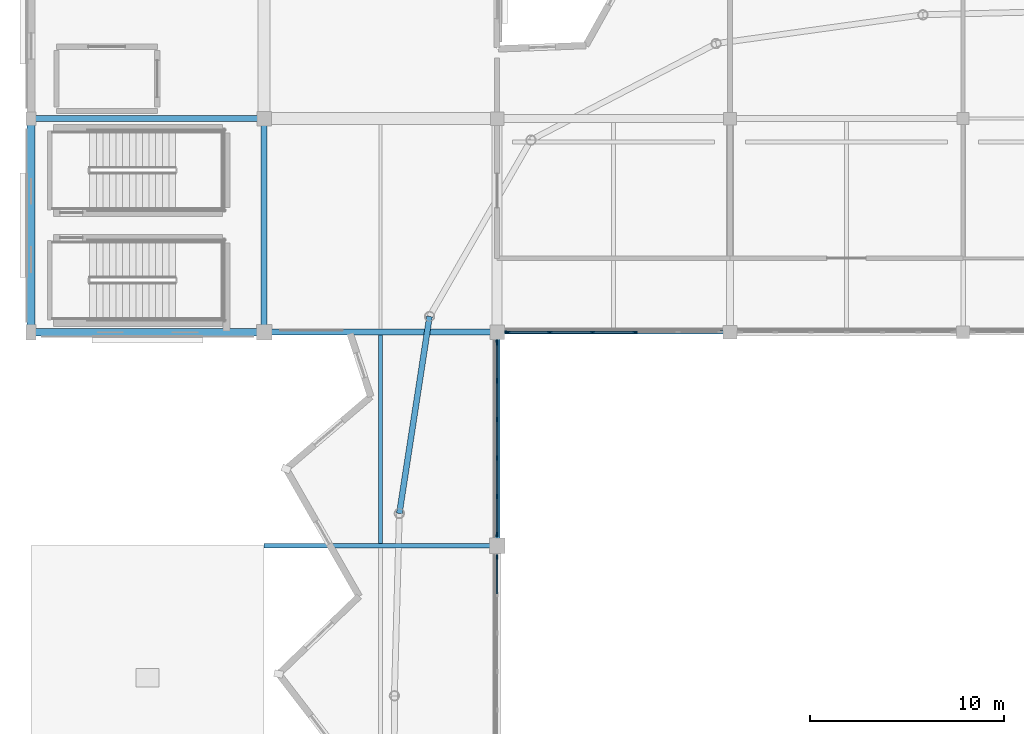
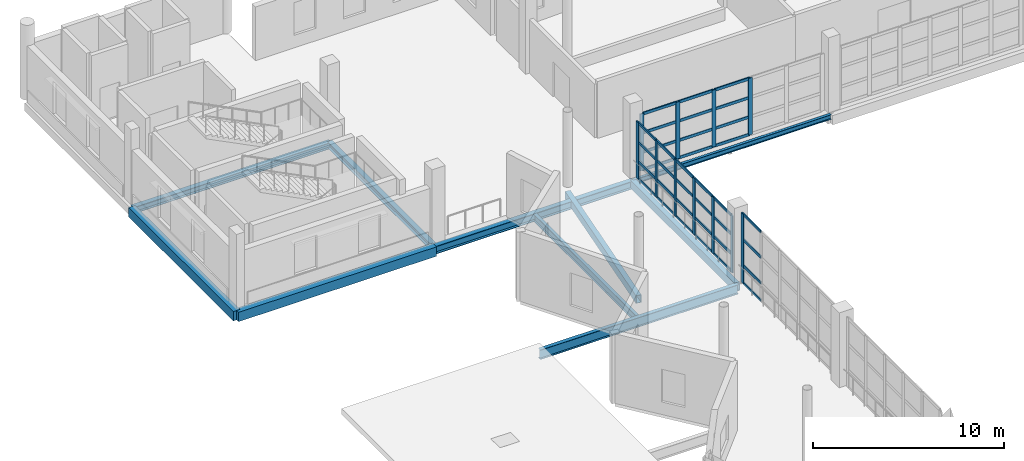
# One storey, part 21 of 53: 47 members, 10 beams, 3 elements without a shape of their own.
"""IFC4 building model written with IfcOpenShell, lengths in metres."""

from ifc_helpers import new_model, si_unit, direction, frame, origin, origin_2d, place, context, subcontext, project, spatial, rectangle, hollow_rectangle, i_section, extrude, material, material_profile, profile_set, type_object, element, aggregate, save


model = new_model("IFC4")

# Units and contexts
model_context = context("Model", 3, precision=1e-05, world=origin(), true_north=direction((0.0, 1.0)))
body_context = subcontext(model_context, "Body", "Model", "MODEL_VIEW")
ifc_project = project(units=[si_unit("LENGTHUNIT", "METRE"), si_unit("AREAUNIT", "SQUARE_METRE"), si_unit("VOLUMEUNIT", "CUBIC_METRE"), si_unit("PLANEANGLEUNIT", "RADIAN"), si_unit("MASSUNIT", "GRAM", prefix="KILO")], contexts=[model_context])

# Site, building, storey
site_placement = place(None, origin())
site = spatial("IfcSite", under=ifc_project, at=site_placement, CompositionType="ELEMENT")
building_placement = place(site_placement, origin())
building = spatial("IfcBuilding", under=site, at=building_placement, Name="Luwafu Chhajja Arena", CompositionType="ELEMENT")
storey_placement = place(building_placement, frame((0.0, 0.0, 19.5)))
storey = spatial("IfcBuildingStorey", under=building, at=storey_placement, Name="L04", CompositionType="ELEMENT", Elevation=19.5)

# Curtain wall, members
ifc_material_1 = material(Name="Anodised bronze aluminium", Category="aluminium")
curtain_wall_type = type_object("IfcCurtainWallType", Name="Media Ribbon Curtain Wall", PredefinedType="USERDEFINED", material=ifc_material_1)
curtain_wall_1_placement = place(storey_placement, origin())
curtain_wall_1 = element("IfcCurtainWall", 1, at=curtain_wall_1_placement, inside=storey, type_object=curtain_wall_type, Name="L04 Bowl Viewing Curtain Wall CWR-L04-08", ObjectType="CURTAIN WALL", PredefinedType="USERDEFINED")
ifc_material_profile_1 = material_profile(ifc_material_1, rectangle(XDim=0.070068359375, YDim=0.239990234375, at=origin_2d()), Name="CWM 70x240")
ifc_profile_set_1 = profile_set([ifc_material_profile_1], Name="Anodised bronze aluminium")
member_type_1 = type_object("IfcMemberType", Name="Bronze Curtain Wall Mullion 70x240", PredefinedType="MULLION", material=ifc_profile_set_1)
member_1_placement = place(storey_placement, frame((58.550048828125, 77.0, 0.0), z_axis=(0.0, 0.0, 1.0), x_axis=(0.0, 1.0, 0.0)))
member_1 = element("IfcMember", 2, at=member_1_placement, type_object=member_type_1, Name="CW-03 mullion 1", PredefinedType="MULLION", context=body_context, shape_type="SweptSolid", body=[
    extrude(rectangle(XDim=0.070068359375, YDim=0.239990234375, at=origin_2d()), origin(), (0.0, 0.0, 1.0), 3.639892578125),
])
member_2_placement = place(storey_placement, frame((60.714111328125, 77.0, 0.0), z_axis=(0.0, 0.0, 1.0), x_axis=(0.0, 1.0, 0.0)))
member_2 = element("IfcMember", 3, at=member_2_placement, type_object=member_type_1, Name="CW-03 mullion 2", PredefinedType="MULLION", context=body_context, shape_type="SweptSolid", body=[
    extrude(rectangle(XDim=0.070068359375, YDim=0.239990234375, at=origin_2d()), origin(), (0.0, 0.0, 1.0), 3.639892578125),
])
member_3_placement = place(storey_placement, frame((62.9130859375, 77.0, 0.0), z_axis=(0.0, 0.0, 1.0), x_axis=(0.0, 1.0, 0.0)))
member_3 = element("IfcMember", 4, at=member_3_placement, type_object=member_type_1, Name="CW-03 mullion 3", PredefinedType="MULLION", context=body_context, shape_type="SweptSolid", body=[
    extrude(rectangle(XDim=0.070068359375, YDim=0.239990234375, at=origin_2d()), origin(), (0.0, 0.0, 1.0), 3.639892578125),
])
member_4_placement = place(storey_placement, frame((65.112060546875, 77.0, 0.0), z_axis=(0.0, 0.0, 1.0), x_axis=(0.0, 1.0, 0.0)))
member_4 = element("IfcMember", 5, at=member_4_placement, type_object=member_type_1, Name="CW-03 mullion 4", PredefinedType="MULLION", context=body_context, shape_type="SweptSolid", body=[
    extrude(rectangle(XDim=0.070068359375, YDim=0.239990234375, at=origin_2d()), origin(), (0.0, 0.0, 1.0), 3.639892578125),
])

# Curtain wall, member
curtain_wall_2_placement = place(storey_placement, origin())
curtain_wall_2 = element("IfcCurtainWall", 6, at=curtain_wall_2_placement, inside=storey, type_object=curtain_wall_type, Name="L04 Bowl Viewing Curtain Wall CWR-L04-18", ObjectType="CURTAIN WALL", PredefinedType="USERDEFINED")
member_5_placement = place(storey_placement, frame((58.0, 65.425048828125, 0.0), z_axis=(0.0, 0.0, 1.0), x_axis=(-1.0, 0.0, 0.0)))
member_5 = element("IfcMember", 7, at=member_5_placement, type_object=member_type_1, Name="CW-03 mullion 6", PredefinedType="MULLION", context=body_context, shape_type="SweptSolid", body=[
    extrude(rectangle(XDim=0.070068359375, YDim=0.239990234375, at=origin_2d()), origin(), (0.0, 0.0, 1.0), 4.4599609375),
])

# Curtain wall, members
curtain_wall_3_placement = place(storey_placement, origin())
curtain_wall_3 = element("IfcCurtainWall", 8, at=curtain_wall_3_placement, inside=storey, type_object=curtain_wall_type, Name="L04 Bowl Viewing Curtain Wall CWR-L04-19", ObjectType="CURTAIN WALL", PredefinedType="USERDEFINED")
member_6_placement = place(storey_placement, frame((58.0, 66.574951171875, 0.0), z_axis=(0.0, 0.0, 1.0), x_axis=(-1.0, 0.0, 0.0)))
member_6 = element("IfcMember", 9, at=member_6_placement, type_object=member_type_1, Name="CW-03 mullion 1", PredefinedType="MULLION", context=body_context, shape_type="SweptSolid", body=[
    extrude(rectangle(XDim=0.070068359375, YDim=0.239990234375, at=origin_2d()), origin(), (0.0, 0.0, 1.0), 3.639892578125),
])
member_7_placement = place(storey_placement, frame((58.0, 68.529052734375, 0.0), z_axis=(0.0, 0.0, 1.0), x_axis=(-1.0, 0.0, 0.0)))
member_7 = element("IfcMember", 10, at=member_7_placement, type_object=member_type_1, Name="CW-03 mullion 2", PredefinedType="MULLION", context=body_context, shape_type="SweptSolid", body=[
    extrude(rectangle(XDim=0.070068359375, YDim=0.239990234375, at=origin_2d()), origin(), (0.0, 0.0, 1.0), 3.639892578125),
])
member_8_placement = place(storey_placement, frame((58.0, 70.51806640625, 0.0), z_axis=(0.0, 0.0, 1.0), x_axis=(-1.0, 0.0, 0.0)))
member_8 = element("IfcMember", 11, at=member_8_placement, type_object=member_type_1, Name="CW-03 mullion 3", PredefinedType="MULLION", context=body_context, shape_type="SweptSolid", body=[
    extrude(rectangle(XDim=0.070068359375, YDim=0.239990234375, at=origin_2d()), origin(), (0.0, 0.0, 1.0), 3.639892578125),
])
member_9_placement = place(storey_placement, frame((58.0, 72.507080078125, 0.0), z_axis=(0.0, 0.0, 1.0), x_axis=(-1.0, 0.0, 0.0)))
member_9 = element("IfcMember", 12, at=member_9_placement, type_object=member_type_1, Name="CW-03 mullion 4", PredefinedType="MULLION", context=body_context, shape_type="SweptSolid", body=[
    extrude(rectangle(XDim=0.070068359375, YDim=0.239990234375, at=origin_2d()), origin(), (0.0, 0.0, 1.0), 3.639892578125),
])
member_10_placement = place(storey_placement, frame((58.0, 74.49609375, 0.0), z_axis=(0.0, 0.0, 1.0), x_axis=(-1.0, 0.0, 0.0)))
member_10 = element("IfcMember", 13, at=member_10_placement, type_object=member_type_1, Name="CW-03 mullion 5", PredefinedType="MULLION", context=body_context, shape_type="SweptSolid", body=[
    extrude(rectangle(XDim=0.070068359375, YDim=0.239990234375, at=origin_2d()), origin(), (0.0, 0.0, 1.0), 3.639892578125),
])
member_11_placement = place(storey_placement, frame((58.0, 76.449951171875, 0.0), z_axis=(0.0, 0.0, 1.0), x_axis=(-1.0, 0.0, 0.0)))
member_11 = element("IfcMember", 14, at=member_11_placement, type_object=member_type_1, Name="CW-03 mullion 6", PredefinedType="MULLION", context=body_context, shape_type="SweptSolid", body=[
    extrude(rectangle(XDim=0.070068359375, YDim=0.239990234375, at=origin_2d()), origin(), (0.0, 0.0, 1.0), 3.639892578125),
])

# Member
ifc_material_profile_2 = material_profile(ifc_material_1, rectangle(XDim=0.070068359375, YDim=0.179931640625, at=origin_2d()), Name="CWT 70x180")
ifc_profile_set_2 = profile_set([ifc_material_profile_2], Name="Anodised bronze aluminium")
member_type_2 = type_object("IfcMemberType", Name="Bronze Curtain Wall Transom 70x180", PredefinedType="USERDEFINED", material=ifc_profile_set_2)
member_12_placement = place(storey_placement, frame((58.5849609375, 77.0, 0.034912109375), z_axis=(1.0, 0.0, 0.0), x_axis=(0.0, 1.0, 0.0)))
member_12 = element("IfcMember", 15, at=member_12_placement, type_object=member_type_2, Name="CW-03 transom 1.1", ObjectType="TRANSOM", PredefinedType="USERDEFINED", context=body_context, shape_type="SweptSolid", body=[
    extrude(rectangle(XDim=0.070068359375, YDim=0.179931640625, at=origin_2d()), origin(), (0.0, 0.0, 1.0), 2.093994140625),
])

member_13_placement = place(storey_placement, frame((58.5849609375, 77.0, 1.14990234375), z_axis=(1.0, 0.0, 0.0), x_axis=(0.0, 1.0, 0.0)))
member_13 = element("IfcMember", 16, at=member_13_placement, type_object=member_type_2, Name="CW-03 transom 1.2", ObjectType="TRANSOM", PredefinedType="USERDEFINED", context=body_context, shape_type="SweptSolid", body=[
    extrude(rectangle(XDim=0.070068359375, YDim=0.179931640625, at=origin_2d()), origin(), (0.0, 0.0, 1.0), 2.093994140625),
])

member_14_placement = place(storey_placement, frame((58.5849609375, 77.0, 2.39501953125), z_axis=(1.0, 0.0, 0.0), x_axis=(0.0, 1.0, 0.0)))
member_14 = element("IfcMember", 17, at=member_14_placement, type_object=member_type_2, Name="CW-03 transom 1.3", ObjectType="TRANSOM", PredefinedType="USERDEFINED", context=body_context, shape_type="SweptSolid", body=[
    extrude(rectangle(XDim=0.070068359375, YDim=0.179931640625, at=origin_2d()), origin(), (0.0, 0.0, 1.0), 2.093994140625),
])

member_15_placement = place(storey_placement, frame((58.5849609375, 77.0, 3.60498046875), z_axis=(1.0, 0.0, 0.0), x_axis=(0.0, 1.0, 0.0)))
member_15 = element("IfcMember", 18, at=member_15_placement, type_object=member_type_2, Name="CW-03 transom 1.4", ObjectType="TRANSOM", PredefinedType="USERDEFINED", context=body_context, shape_type="SweptSolid", body=[
    extrude(rectangle(XDim=0.070068359375, YDim=0.179931640625, at=origin_2d()), origin(), (0.0, 0.0, 1.0), 2.093994140625),
])

member_16_placement = place(storey_placement, frame((60.7490234375, 77.0, 0.034912109375), z_axis=(1.0, 0.0, 0.0), x_axis=(0.0, 1.0, 0.0)))
member_16 = element("IfcMember", 19, at=member_16_placement, type_object=member_type_2, Name="CW-03 transom 2.1", ObjectType="TRANSOM", PredefinedType="USERDEFINED", context=body_context, shape_type="SweptSolid", body=[
    extrude(rectangle(XDim=0.070068359375, YDim=0.179931640625, at=origin_2d()), origin(), (0.0, 0.0, 1.0), 2.12890625),
])

member_17_placement = place(storey_placement, frame((60.7490234375, 77.0, 1.14990234375), z_axis=(1.0, 0.0, 0.0), x_axis=(0.0, 1.0, 0.0)))
member_17 = element("IfcMember", 20, at=member_17_placement, type_object=member_type_2, Name="CW-03 transom 2.2", ObjectType="TRANSOM", PredefinedType="USERDEFINED", context=body_context, shape_type="SweptSolid", body=[
    extrude(rectangle(XDim=0.070068359375, YDim=0.179931640625, at=origin_2d()), origin(), (0.0, 0.0, 1.0), 2.12890625),
])

member_18_placement = place(storey_placement, frame((60.7490234375, 77.0, 2.39501953125), z_axis=(1.0, 0.0, 0.0), x_axis=(0.0, 1.0, 0.0)))
member_18 = element("IfcMember", 21, at=member_18_placement, type_object=member_type_2, Name="CW-03 transom 2.3", ObjectType="TRANSOM", PredefinedType="USERDEFINED", context=body_context, shape_type="SweptSolid", body=[
    extrude(rectangle(XDim=0.070068359375, YDim=0.179931640625, at=origin_2d()), origin(), (0.0, 0.0, 1.0), 2.12890625),
])

member_19_placement = place(storey_placement, frame((60.7490234375, 77.0, 3.60498046875), z_axis=(1.0, 0.0, 0.0), x_axis=(0.0, 1.0, 0.0)))
member_19 = element("IfcMember", 22, at=member_19_placement, type_object=member_type_2, Name="CW-03 transom 2.4", ObjectType="TRANSOM", PredefinedType="USERDEFINED", context=body_context, shape_type="SweptSolid", body=[
    extrude(rectangle(XDim=0.070068359375, YDim=0.179931640625, at=origin_2d()), origin(), (0.0, 0.0, 1.0), 2.12890625),
])

member_20_placement = place(storey_placement, frame((62.947998046875, 77.0, 0.034912109375), z_axis=(1.0, 0.0, 0.0), x_axis=(0.0, 1.0, 0.0)))
member_20 = element("IfcMember", 23, at=member_20_placement, type_object=member_type_2, Name="CW-03 transom 3.1", ObjectType="TRANSOM", PredefinedType="USERDEFINED", context=body_context, shape_type="SweptSolid", body=[
    extrude(rectangle(XDim=0.070068359375, YDim=0.179931640625, at=origin_2d()), origin(), (0.0, 0.0, 1.0), 2.12890625),
])

member_21_placement = place(storey_placement, frame((62.947998046875, 77.0, 1.14990234375), z_axis=(1.0, 0.0, 0.0), x_axis=(0.0, 1.0, 0.0)))
member_21 = element("IfcMember", 24, at=member_21_placement, type_object=member_type_2, Name="CW-03 transom 3.2", ObjectType="TRANSOM", PredefinedType="USERDEFINED", context=body_context, shape_type="SweptSolid", body=[
    extrude(rectangle(XDim=0.070068359375, YDim=0.179931640625, at=origin_2d()), origin(), (0.0, 0.0, 1.0), 2.12890625),
])

member_22_placement = place(storey_placement, frame((62.947998046875, 77.0, 2.39501953125), z_axis=(1.0, 0.0, 0.0), x_axis=(0.0, 1.0, 0.0)))
member_22 = element("IfcMember", 25, at=member_22_placement, type_object=member_type_2, Name="CW-03 transom 3.3", ObjectType="TRANSOM", PredefinedType="USERDEFINED", context=body_context, shape_type="SweptSolid", body=[
    extrude(rectangle(XDim=0.070068359375, YDim=0.179931640625, at=origin_2d()), origin(), (0.0, 0.0, 1.0), 2.12890625),
])

member_23_placement = place(storey_placement, frame((62.947998046875, 77.0, 3.60498046875), z_axis=(1.0, 0.0, 0.0), x_axis=(0.0, 1.0, 0.0)))
member_23 = element("IfcMember", 26, at=member_23_placement, type_object=member_type_2, Name="CW-03 transom 3.4", ObjectType="TRANSOM", PredefinedType="USERDEFINED", context=body_context, shape_type="SweptSolid", body=[
    extrude(rectangle(XDim=0.070068359375, YDim=0.179931640625, at=origin_2d()), origin(), (0.0, 0.0, 1.0), 2.12890625),
])

aggregate(curtain_wall_1, [member_1, member_2, member_3, member_4, member_12, member_13, member_14, member_15, member_16, member_17, member_18, member_19, member_20, member_21, member_22, member_23])

member_24_placement = place(storey_placement, frame((58.0, 63.51611328125, 0.034912109375), z_axis=(0.0, 1.0, 0.0), x_axis=(-1.0, 0.0, 0.0)))
member_24 = element("IfcMember", 27, at=member_24_placement, type_object=member_type_2, Name="CW-03 transom 5.1", ObjectType="TRANSOM", PredefinedType="USERDEFINED", context=body_context, shape_type="SweptSolid", body=[
    extrude(rectangle(XDim=0.070068359375, YDim=0.179931640625, at=origin_2d()), origin(), (0.0, 0.0, 1.0), 1.873779296875),
])

member_25_placement = place(storey_placement, frame((58.0, 63.51611328125, 1.14990234375), z_axis=(0.0, 1.0, 0.0), x_axis=(-1.0, 0.0, 0.0)))
member_25 = element("IfcMember", 28, at=member_25_placement, type_object=member_type_2, Name="CW-03 transom 5.2", ObjectType="TRANSOM", PredefinedType="USERDEFINED", context=body_context, shape_type="SweptSolid", body=[
    extrude(rectangle(XDim=0.070068359375, YDim=0.179931640625, at=origin_2d()), origin(), (0.0, 0.0, 1.0), 1.873779296875),
])

member_26_placement = place(storey_placement, frame((58.0, 63.51611328125, 2.804931640625), z_axis=(0.0, 1.0, 0.0), x_axis=(-1.0, 0.0, 0.0)))
member_26 = element("IfcMember", 29, at=member_26_placement, type_object=member_type_2, Name="CW-03 transom 5.3", ObjectType="TRANSOM", PredefinedType="USERDEFINED", context=body_context, shape_type="SweptSolid", body=[
    extrude(rectangle(XDim=0.070068359375, YDim=0.179931640625, at=origin_2d()), origin(), (0.0, 0.0, 1.0), 1.873779296875),
])

member_27_placement = place(storey_placement, frame((58.0, 63.51611328125, 4.425048828125), z_axis=(0.0, 1.0, 0.0), x_axis=(-1.0, 0.0, 0.0)))
member_27 = element("IfcMember", 30, at=member_27_placement, type_object=member_type_2, Name="CW-03 transom 5.4", ObjectType="TRANSOM", PredefinedType="USERDEFINED", context=body_context, shape_type="SweptSolid", body=[
    extrude(rectangle(XDim=0.070068359375, YDim=0.179931640625, at=origin_2d()), origin(), (0.0, 0.0, 1.0), 1.873779296875),
])

aggregate(curtain_wall_2, [member_5, member_24, member_25, member_26, member_27])

member_28_placement = place(storey_placement, frame((58.0, 66.610107421875, 0.034912109375), z_axis=(0.0, 1.0, 0.0), x_axis=(-1.0, 0.0, 0.0)))
member_28 = element("IfcMember", 31, at=member_28_placement, type_object=member_type_2, Name="CW-03 transom 1.1", ObjectType="TRANSOM", PredefinedType="USERDEFINED", context=body_context, shape_type="SweptSolid", body=[
    extrude(rectangle(XDim=0.070068359375, YDim=0.179931640625, at=origin_2d()), origin(), (0.0, 0.0, 1.0), 1.8837890625),
])

member_29_placement = place(storey_placement, frame((58.0, 66.610107421875, 1.14990234375), z_axis=(0.0, 1.0, 0.0), x_axis=(-1.0, 0.0, 0.0)))
member_29 = element("IfcMember", 32, at=member_29_placement, type_object=member_type_2, Name="CW-03 transom 1.2", ObjectType="TRANSOM", PredefinedType="USERDEFINED", context=body_context, shape_type="SweptSolid", body=[
    extrude(rectangle(XDim=0.070068359375, YDim=0.179931640625, at=origin_2d()), origin(), (0.0, 0.0, 1.0), 1.8837890625),
])

member_30_placement = place(storey_placement, frame((58.0, 66.610107421875, 2.39501953125), z_axis=(0.0, 1.0, 0.0), x_axis=(-1.0, 0.0, 0.0)))
member_30 = element("IfcMember", 33, at=member_30_placement, type_object=member_type_2, Name="CW-03 transom 1.3", ObjectType="TRANSOM", PredefinedType="USERDEFINED", context=body_context, shape_type="SweptSolid", body=[
    extrude(rectangle(XDim=0.070068359375, YDim=0.179931640625, at=origin_2d()), origin(), (0.0, 0.0, 1.0), 1.8837890625),
])

member_31_placement = place(storey_placement, frame((58.0, 66.610107421875, 3.60498046875), z_axis=(0.0, 1.0, 0.0), x_axis=(-1.0, 0.0, 0.0)))
member_31 = element("IfcMember", 34, at=member_31_placement, type_object=member_type_2, Name="CW-03 transom 1.4", ObjectType="TRANSOM", PredefinedType="USERDEFINED", context=body_context, shape_type="SweptSolid", body=[
    extrude(rectangle(XDim=0.070068359375, YDim=0.179931640625, at=origin_2d()), origin(), (0.0, 0.0, 1.0), 1.8837890625),
])

member_32_placement = place(storey_placement, frame((58.0, 68.56396484375, 0.034912109375), z_axis=(0.0, 1.0, 0.0), x_axis=(-1.0, 0.0, 0.0)))
member_32 = element("IfcMember", 35, at=member_32_placement, type_object=member_type_2, Name="CW-03 transom 2.1", ObjectType="TRANSOM", PredefinedType="USERDEFINED", context=body_context, shape_type="SweptSolid", body=[
    extrude(rectangle(XDim=0.070068359375, YDim=0.179931640625, at=origin_2d()), origin(), (0.0, 0.0, 1.0), 1.9189453125),
])

member_33_placement = place(storey_placement, frame((58.0, 68.56396484375, 1.14990234375), z_axis=(0.0, 1.0, 0.0), x_axis=(-1.0, 0.0, 0.0)))
member_33 = element("IfcMember", 36, at=member_33_placement, type_object=member_type_2, Name="CW-03 transom 2.2", ObjectType="TRANSOM", PredefinedType="USERDEFINED", context=body_context, shape_type="SweptSolid", body=[
    extrude(rectangle(XDim=0.070068359375, YDim=0.179931640625, at=origin_2d()), origin(), (0.0, 0.0, 1.0), 1.9189453125),
])

member_34_placement = place(storey_placement, frame((58.0, 68.56396484375, 2.39501953125), z_axis=(0.0, 1.0, 0.0), x_axis=(-1.0, 0.0, 0.0)))
member_34 = element("IfcMember", 37, at=member_34_placement, type_object=member_type_2, Name="CW-03 transom 2.3", ObjectType="TRANSOM", PredefinedType="USERDEFINED", context=body_context, shape_type="SweptSolid", body=[
    extrude(rectangle(XDim=0.070068359375, YDim=0.179931640625, at=origin_2d()), origin(), (0.0, 0.0, 1.0), 1.9189453125),
])

member_35_placement = place(storey_placement, frame((58.0, 68.56396484375, 3.60498046875), z_axis=(0.0, 1.0, 0.0), x_axis=(-1.0, 0.0, 0.0)))
member_35 = element("IfcMember", 38, at=member_35_placement, type_object=member_type_2, Name="CW-03 transom 2.4", ObjectType="TRANSOM", PredefinedType="USERDEFINED", context=body_context, shape_type="SweptSolid", body=[
    extrude(rectangle(XDim=0.070068359375, YDim=0.179931640625, at=origin_2d()), origin(), (0.0, 0.0, 1.0), 1.9189453125),
])

member_36_placement = place(storey_placement, frame((58.0, 70.552978515625, 0.034912109375), z_axis=(0.0, 1.0, 0.0), x_axis=(-1.0, 0.0, 0.0)))
member_36 = element("IfcMember", 39, at=member_36_placement, type_object=member_type_2, Name="CW-03 transom 3.1", ObjectType="TRANSOM", PredefinedType="USERDEFINED", context=body_context, shape_type="SweptSolid", body=[
    extrude(rectangle(XDim=0.070068359375, YDim=0.179931640625, at=origin_2d()), origin(), (0.0, 0.0, 1.0), 1.9189453125),
])

member_37_placement = place(storey_placement, frame((58.0, 70.552978515625, 1.14990234375), z_axis=(0.0, 1.0, 0.0), x_axis=(-1.0, 0.0, 0.0)))
member_37 = element("IfcMember", 40, at=member_37_placement, type_object=member_type_2, Name="CW-03 transom 3.2", ObjectType="TRANSOM", PredefinedType="USERDEFINED", context=body_context, shape_type="SweptSolid", body=[
    extrude(rectangle(XDim=0.070068359375, YDim=0.179931640625, at=origin_2d()), origin(), (0.0, 0.0, 1.0), 1.9189453125),
])

member_38_placement = place(storey_placement, frame((58.0, 70.552978515625, 2.39501953125), z_axis=(0.0, 1.0, 0.0), x_axis=(-1.0, 0.0, 0.0)))
member_38 = element("IfcMember", 41, at=member_38_placement, type_object=member_type_2, Name="CW-03 transom 3.3", ObjectType="TRANSOM", PredefinedType="USERDEFINED", context=body_context, shape_type="SweptSolid", body=[
    extrude(rectangle(XDim=0.070068359375, YDim=0.179931640625, at=origin_2d()), origin(), (0.0, 0.0, 1.0), 1.9189453125),
])

member_39_placement = place(storey_placement, frame((58.0, 70.552978515625, 3.60498046875), z_axis=(0.0, 1.0, 0.0), x_axis=(-1.0, 0.0, 0.0)))
member_39 = element("IfcMember", 42, at=member_39_placement, type_object=member_type_2, Name="CW-03 transom 3.4", ObjectType="TRANSOM", PredefinedType="USERDEFINED", context=body_context, shape_type="SweptSolid", body=[
    extrude(rectangle(XDim=0.070068359375, YDim=0.179931640625, at=origin_2d()), origin(), (0.0, 0.0, 1.0), 1.9189453125),
])

member_40_placement = place(storey_placement, frame((58.0, 72.5419921875, 0.034912109375), z_axis=(0.0, 1.0, 0.0), x_axis=(-1.0, 0.0, 0.0)))
member_40 = element("IfcMember", 43, at=member_40_placement, type_object=member_type_2, Name="CW-03 transom 4.1", ObjectType="TRANSOM", PredefinedType="USERDEFINED", context=body_context, shape_type="SweptSolid", body=[
    extrude(rectangle(XDim=0.070068359375, YDim=0.179931640625, at=origin_2d()), origin(), (0.0, 0.0, 1.0), 1.9189453125),
])

member_41_placement = place(storey_placement, frame((58.0, 72.5419921875, 1.14990234375), z_axis=(0.0, 1.0, 0.0), x_axis=(-1.0, 0.0, 0.0)))
member_41 = element("IfcMember", 44, at=member_41_placement, type_object=member_type_2, Name="CW-03 transom 4.2", ObjectType="TRANSOM", PredefinedType="USERDEFINED", context=body_context, shape_type="SweptSolid", body=[
    extrude(rectangle(XDim=0.070068359375, YDim=0.179931640625, at=origin_2d()), origin(), (0.0, 0.0, 1.0), 1.9189453125),
])

member_42_placement = place(storey_placement, frame((58.0, 72.5419921875, 2.39501953125), z_axis=(0.0, 1.0, 0.0), x_axis=(-1.0, 0.0, 0.0)))
member_42 = element("IfcMember", 45, at=member_42_placement, type_object=member_type_2, Name="CW-03 transom 4.3", ObjectType="TRANSOM", PredefinedType="USERDEFINED", context=body_context, shape_type="SweptSolid", body=[
    extrude(rectangle(XDim=0.070068359375, YDim=0.179931640625, at=origin_2d()), origin(), (0.0, 0.0, 1.0), 1.9189453125),
])

member_43_placement = place(storey_placement, frame((58.0, 72.5419921875, 3.60498046875), z_axis=(0.0, 1.0, 0.0), x_axis=(-1.0, 0.0, 0.0)))
member_43 = element("IfcMember", 46, at=member_43_placement, type_object=member_type_2, Name="CW-03 transom 4.4", ObjectType="TRANSOM", PredefinedType="USERDEFINED", context=body_context, shape_type="SweptSolid", body=[
    extrude(rectangle(XDim=0.070068359375, YDim=0.179931640625, at=origin_2d()), origin(), (0.0, 0.0, 1.0), 1.9189453125),
])

member_44_placement = place(storey_placement, frame((58.0, 74.531005859375, 0.034912109375), z_axis=(0.0, 1.0, 0.0), x_axis=(-1.0, 0.0, 0.0)))
member_44 = element("IfcMember", 47, at=member_44_placement, type_object=member_type_2, Name="CW-03 transom 5.1", ObjectType="TRANSOM", PredefinedType="USERDEFINED", context=body_context, shape_type="SweptSolid", body=[
    extrude(rectangle(XDim=0.070068359375, YDim=0.179931640625, at=origin_2d()), origin(), (0.0, 0.0, 1.0), 1.884033203125),
])

member_45_placement = place(storey_placement, frame((58.0, 74.531005859375, 1.14990234375), z_axis=(0.0, 1.0, 0.0), x_axis=(-1.0, 0.0, 0.0)))
member_45 = element("IfcMember", 48, at=member_45_placement, type_object=member_type_2, Name="CW-03 transom 5.2", ObjectType="TRANSOM", PredefinedType="USERDEFINED", context=body_context, shape_type="SweptSolid", body=[
    extrude(rectangle(XDim=0.070068359375, YDim=0.179931640625, at=origin_2d()), origin(), (0.0, 0.0, 1.0), 1.884033203125),
])

member_46_placement = place(storey_placement, frame((58.0, 74.531005859375, 2.39501953125), z_axis=(0.0, 1.0, 0.0), x_axis=(-1.0, 0.0, 0.0)))
member_46 = element("IfcMember", 49, at=member_46_placement, type_object=member_type_2, Name="CW-03 transom 5.3", ObjectType="TRANSOM", PredefinedType="USERDEFINED", context=body_context, shape_type="SweptSolid", body=[
    extrude(rectangle(XDim=0.070068359375, YDim=0.179931640625, at=origin_2d()), origin(), (0.0, 0.0, 1.0), 1.884033203125),
])

member_47_placement = place(storey_placement, frame((58.0, 74.531005859375, 3.60498046875), z_axis=(0.0, 1.0, 0.0), x_axis=(-1.0, 0.0, 0.0)))
member_47 = element("IfcMember", 50, at=member_47_placement, type_object=member_type_2, Name="CW-03 transom 5.4", ObjectType="TRANSOM", PredefinedType="USERDEFINED", context=body_context, shape_type="SweptSolid", body=[
    extrude(rectangle(XDim=0.070068359375, YDim=0.179931640625, at=origin_2d()), origin(), (0.0, 0.0, 1.0), 1.884033203125),
])

aggregate(curtain_wall_3, [member_6, member_7, member_8, member_9, member_10, member_11, member_28, member_29, member_30, member_31, member_32, member_33, member_34, member_35, member_36, member_37, member_38, member_39, member_40, member_41, member_42, member_43, member_44, member_45, member_46, member_47])

# Beams
ifc_material_2 = material(Name="Steel S355", Category="steel")
ifc_material_profile_3 = material_profile(ifc_material_2, i_section(OverallWidth=0.165771484375, OverallDepth=0.306640625, WebThickness=0.006591796875, FlangeThickness=0.01171875, at=origin_2d()), Name="UB 305x165x46")
ifc_profile_set_3 = profile_set([ifc_material_profile_3], Name="Steel S355")
beam_type_1 = type_object("IfcBeamType", Name="Concourse Edge Spandrel Beam UB 305x165x46", PredefinedType="SPANDREL", material=ifc_profile_set_3)
beam_1_placement = place(storey_placement, frame((58.0, 77.0, -0.543212890625), z_axis=(1.0, 0.0, 0.0), x_axis=(0.0, 1.0, 0.0)))
element("IfcBeam", 51, at=beam_1_placement, inside=storey, type_object=beam_type_1, Name="L04 Grid Beam 6-7/H", PredefinedType="SPANDREL", context=body_context, shape_type="SweptSolid", body=[
    extrude(i_section(OverallWidth=0.165771484375, OverallDepth=0.306640625, WebThickness=0.006591796875, FlangeThickness=0.01171875, at=origin_2d()), origin(), (0.0, 0.0, 1.0), 12.0),
])
ifc_material_profile_4 = material_profile(ifc_material_2, i_section(OverallWidth=0.19140625, OverallDepth=0.4599609375, WebThickness=0.010009765625, FlangeThickness=0.01611328125, at=origin_2d()), Name="UB 457x191x82")
ifc_profile_set_4 = profile_set([ifc_material_profile_4], Name="Steel S355")
beam_type_2 = type_object("IfcBeamType", Name="Floor Joist UB 457x191x82", PredefinedType="JOIST", material=ifc_profile_set_4)
beam_2_placement = place(storey_placement, frame((52.0, 66.114501953125, -0.6201171875), z_axis=(0.0, 1.0, 0.0), x_axis=(-1.0, 0.0, 0.0)))
element("IfcBeam", 52, at=beam_2_placement, inside=storey, type_object=beam_type_2, Name="L04 Secondary Joist 5-6/G", PredefinedType="JOIST", context=body_context, shape_type="SweptSolid", body=[
    extrude(i_section(OverallWidth=0.19140625, OverallDepth=0.4599609375, WebThickness=0.010009765625, FlangeThickness=0.01611328125, at=origin_2d()), origin(), (0.0, 0.0, 1.0), 10.735595703125),
])
ifc_material_profile_5 = material_profile(ifc_material_2, hollow_rectangle(XDim=0.300048828125, YDim=0.5, WallThickness=0.02001953125, at=origin_2d()), Name="RHS 500x300x20")
ifc_profile_set_5 = profile_set([ifc_material_profile_5], Name="Steel S355")
beam_type_3 = type_object("IfcBeamType", Name="Pleated Drum Spandrel Beam RHS 500x300", PredefinedType="SPANDREL", material=ifc_profile_set_5)
beam_3_placement = place(storey_placement, frame((58.0, 66.0, -0.639892578125), z_axis=(0.0, 1.0, 0.0), x_axis=(-1.0, 0.0, 0.0)))
element("IfcBeam", 53, at=beam_3_placement, inside=storey, type_object=beam_type_3, Name="L04 Grid Beam 6/G-H", PredefinedType="SPANDREL", context=body_context, shape_type="SweptSolid", body=[
    extrude(hollow_rectangle(XDim=0.300048828125, YDim=0.5, WallThickness=0.02001953125, at=origin_2d()), origin(), (0.0, 0.0, 1.0), 11.0),
])
beam_4_placement = place(storey_placement, frame((54.52392578125, 77.805908203125, -0.639892578125), z_axis=(-0.1515977802, -0.988442265911, 0.0), x_axis=(0.988442265911, -0.1515977802, 0.0)))
element("IfcBeam", 54, at=beam_4_placement, inside=storey, type_object=beam_type_3, Name="L04 Drum Ring Spandrel D14-D15", PredefinedType="SPANDREL", context=body_context, shape_type="SweptSolid", body=[
    extrude(hollow_rectangle(XDim=0.300048828125, YDim=0.5, WallThickness=0.02001953125, at=origin_2d()), origin(), (0.0, 0.0, 1.0), 10.263427734375),
])
ifc_material_3 = material(Name="Concrete C35/45", Category="concrete")
ifc_material_profile_6 = material_profile(ifc_material_3, rectangle(XDim=0.39990234375, YDim=0.60009765625, at=origin_2d()), Name="RC 400x600")
ifc_profile_set_6 = profile_set([ifc_material_profile_6], Name="Concrete C35/45")
beam_type_4 = type_object("IfcBeamType", Name="Podium Perimeter Spandrel RC 400x600", PredefinedType="SPANDREL", material=ifc_profile_set_6)
beam_5_placement = place(storey_placement, frame((34.0, 77.0, -0.68994140625), z_axis=(1.0, 0.0, 0.0), x_axis=(0.0, 1.0, 0.0)))
element("IfcBeam", 55, at=beam_5_placement, inside=storey, type_object=beam_type_4, Name="L04 Grid Beam 4-5/H", PredefinedType="SPANDREL", context=body_context, shape_type="SweptSolid", body=[
    extrude(rectangle(XDim=0.39990234375, YDim=0.60009765625, at=origin_2d()), origin(), (0.0, 0.0, 1.0), 12.0),
])
beam_6_placement = place(storey_placement, frame((34.0, 77.0, -0.68994140625), z_axis=(0.0, 1.0, 0.0), x_axis=(-1.0, 0.0, 0.0)))
element("IfcBeam", 56, at=beam_6_placement, inside=storey, type_object=beam_type_4, Name="L04 Grid Beam 4/H-J", PredefinedType="SPANDREL", context=body_context, shape_type="SweptSolid", body=[
    extrude(rectangle(XDim=0.39990234375, YDim=0.60009765625, at=origin_2d()), origin(), (0.0, 0.0, 1.0), 11.0),
])
ifc_material_profile_7 = material_profile(ifc_material_2, i_section(OverallWidth=0.300048828125, OverallDepth=0.5, WebThickness=0.014404296875, FlangeThickness=0.028076171875, at=origin_2d()), Name="HEB 500")
ifc_profile_set_7 = profile_set([ifc_material_profile_7], Name="Steel S355")
beam_type_5 = type_object("IfcBeamType", Name="Steel Atrium Tie Girder HEB 500", PredefinedType="BEAM", material=ifc_profile_set_7)
beam_7_placement = place(storey_placement, frame((46.0, 77.0, -0.639892578125), z_axis=(1.0, 0.0, 0.0), x_axis=(0.0, 1.0, 0.0)))
element("IfcBeam", 57, at=beam_7_placement, inside=storey, type_object=beam_type_5, Name="L04 Grid Beam 5-6/H", PredefinedType="BEAM", context=body_context, shape_type="SweptSolid", body=[
    extrude(i_section(OverallWidth=0.300048828125, OverallDepth=0.5, WebThickness=0.014404296875, FlangeThickness=0.028076171875, at=origin_2d()), origin(), (0.0, 0.0, 1.0), 12.0),
])
ifc_material_profile_8 = material_profile(ifc_material_2, i_section(OverallWidth=0.22900390625, OverallDepth=0.6123046875, WebThickness=0.011962890625, FlangeThickness=0.01953125, at=origin_2d()), Name="UB 610x229x125")
ifc_profile_set_8 = profile_set([ifc_material_profile_8], Name="Steel S355")
beam_type_6 = type_object("IfcBeamType", Name="Steel Mezzanine Girder UB 610x229x125", PredefinedType="BEAM", material=ifc_profile_set_8)
beam_8_placement = place(storey_placement, frame((46.0, 66.0, -0.696044921875), z_axis=(1.0, 0.0, 0.0), x_axis=(0.0, 1.0, 0.0)))
element("IfcBeam", 58, at=beam_8_placement, inside=storey, type_object=beam_type_6, Name="L04 Grid Beam 5-6/G", PredefinedType="BEAM", context=body_context, shape_type="SweptSolid", body=[
    extrude(i_section(OverallWidth=0.22900390625, OverallDepth=0.6123046875, WebThickness=0.011962890625, FlangeThickness=0.01953125, at=origin_2d()), origin(), (0.0, 0.0, 1.0), 12.0),
])
ifc_material_profile_9 = material_profile(ifc_material_2, i_section(OverallWidth=0.300048828125, OverallDepth=0.39990234375, WebThickness=0.013427734375, FlangeThickness=0.02392578125, at=origin_2d()), Name="HEB 400")
ifc_profile_set_9 = profile_set([ifc_material_profile_9], Name="Steel S355")
beam_type_7 = type_object("IfcBeamType", Name="Steel Rigging Grid Beam HEB 400", PredefinedType="BEAM", material=ifc_profile_set_9)
beam_9_placement = place(storey_placement, frame((34.0, 88.0, -0.590087890625), z_axis=(1.0, 0.0, 0.0), x_axis=(0.0, 1.0, 0.0)))
element("IfcBeam", 59, at=beam_9_placement, inside=storey, type_object=beam_type_7, Name="L04 Grid Beam 4-5/J", PredefinedType="BEAM", context=body_context, shape_type="SweptSolid", body=[
    extrude(i_section(OverallWidth=0.300048828125, OverallDepth=0.39990234375, WebThickness=0.013427734375, FlangeThickness=0.02392578125, at=origin_2d()), origin(), (0.0, 0.0, 1.0), 12.0),
])
beam_10_placement = place(storey_placement, frame((46.0, 77.0, -0.590087890625), z_axis=(0.0, 1.0, 0.0), x_axis=(-1.0, 0.0, 0.0)))
element("IfcBeam", 60, at=beam_10_placement, inside=storey, type_object=beam_type_7, Name="L04 Grid Beam 5/H-J", PredefinedType="BEAM", context=body_context, shape_type="SweptSolid", body=[
    extrude(i_section(OverallWidth=0.300048828125, OverallDepth=0.39990234375, WebThickness=0.013427734375, FlangeThickness=0.02392578125, at=origin_2d()), origin(), (0.0, 0.0, 1.0), 11.0),
])

save(model, "model.ifc")
